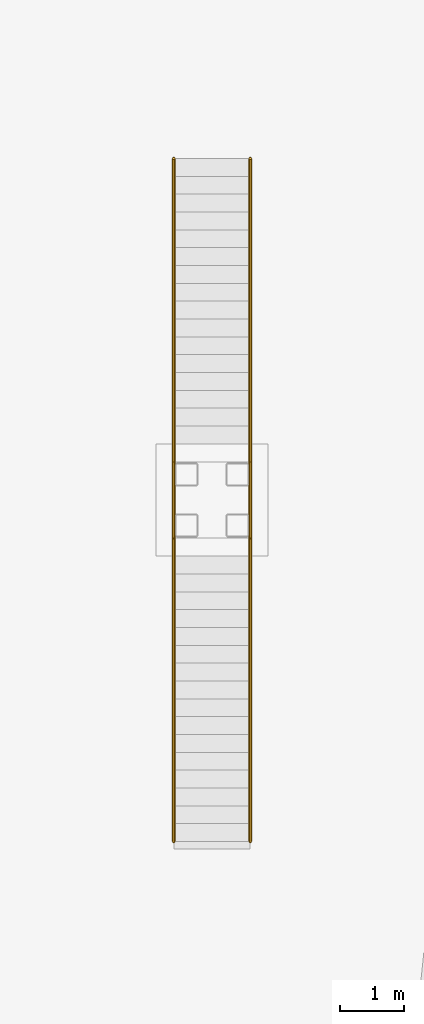
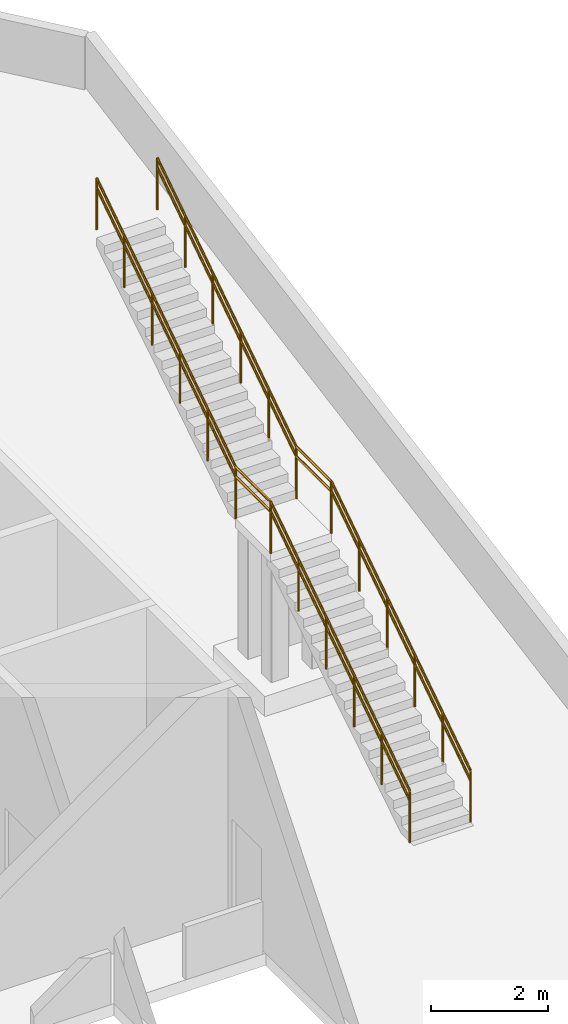
# One storey, part 3 of 3: 4 railings.
"""IFC4 building model written with IfcOpenShell, lengths in metres."""

from ifc_helpers import new_model, si_unit, direction, frame, origin, origin_2d, place, context, subcontext, project, spatial, circle, extrude, material, type_object, element, save


model = new_model("IFC4")

# Units and contexts
model_context = context("Model", 3, precision=1e-05, world=origin(), true_north=direction((0.0, 1.0)))
body_context = subcontext(model_context, "Body", "Model", "MODEL_VIEW")
ifc_project = project(units=[si_unit("LENGTHUNIT", "METRE"), si_unit("AREAUNIT", "SQUARE_METRE"), si_unit("VOLUMEUNIT", "CUBIC_METRE"), si_unit("PLANEANGLEUNIT", "RADIAN"), si_unit("MASSUNIT", "GRAM", prefix="KILO")], contexts=[model_context])

# Site, building, storey
site_placement = place(None, origin())
site = spatial("IfcSite", under=ifc_project, at=site_placement, CompositionType="ELEMENT")
building_placement = place(site_placement, origin())
building = spatial("IfcBuilding", under=site, at=building_placement, Name="Millrace Tower", CompositionType="ELEMENT")
storey_placement = place(building_placement, frame((0.0, 0.0, 362.10009765625)))
storey = spatial("IfcBuildingStorey", under=building, at=storey_placement, Name="ROOF-1", CompositionType="ELEMENT", Elevation=362.10009765625)

# Railings
ifc_material_1 = material(Name="Stainless steel ASTM A240 type 316", Category="steel")
railing_type_1 = type_object("IfcRailingType", Name="Antenna deck guard 1100", PredefinedType="GUARDRAIL", material=ifc_material_1)
placement_1 = place(storey_placement, frame((17.693115234375, -2.037841796875, 0.0)))
element("IfcRailing", 1, at=placement_1, inside=storey, type_object=railing_type_1, Name="Antenna deck stair guard W", PredefinedType="GUARDRAIL", context=body_context, shape_type="SweptSolid", body=[
    extrude(circle(Radius=0.02392578125, at=origin_2d()), frame((0.0, 0.0, 1.076171875), z_axis=(0.0, 0.833940600646, 0.551854214983), x_axis=(-1.0, 0.0, 0.0)), (0.0, 0.0, 1.0), 5.707763671875),
    extrude(circle(Radius=0.02392578125, at=origin_2d()), frame((0.0, 4.760009765625, 4.22607421875), z_axis=(0.0, 1.0, 0.0), x_axis=(-1.0, 0.0, 0.0)), (0.0, 0.0, 1.0), 1.199951171875),
    extrude(circle(Radius=0.02392578125, at=origin_2d()), frame((0.0, 5.9599609375, 4.22607421875), z_axis=(0.0, 0.833940600646, 0.551854214983), x_axis=(-1.0, 0.0, 0.0)), (0.0, 0.0, 1.0), 5.707763671875),
    extrude(circle(Radius=0.02099609375, at=origin_2d()), origin(), (0.0, 0.0, 1.0), 1.052001953125),
    extrude(circle(Radius=0.02099609375, at=origin_2d()), frame((0.0, 0.951904296875, 0.6298828125)), (0.0, 0.0, 1.0), 1.052001953125),
    extrude(circle(Radius=0.02099609375, at=origin_2d()), frame((0.0, 1.904052734375, 1.260009765625)), (0.0, 0.0, 1.0), 1.052001953125),
    extrude(circle(Radius=0.02099609375, at=origin_2d()), frame((0.0, 2.85595703125, 1.889892578125)), (0.0, 0.0, 1.0), 1.052001953125),
    extrude(circle(Radius=0.02099609375, at=origin_2d()), frame((0.0, 3.80810546875, 2.52001953125)), (0.0, 0.0, 1.0), 1.052001953125),
    extrude(circle(Radius=0.02099609375, at=origin_2d()), frame((0.0, 4.760009765625, 3.14990234375)), (0.0, 0.0, 1.0), 1.052001953125),
    extrude(circle(Radius=0.02099609375, at=origin_2d()), frame((0.0, 5.9599609375, 3.14990234375)), (0.0, 0.0, 1.0), 1.052001953125),
    extrude(circle(Radius=0.02099609375, at=origin_2d()), frame((0.0, 6.911865234375, 3.77978515625)), (0.0, 0.0, 1.0), 1.052001953125),
    extrude(circle(Radius=0.02099609375, at=origin_2d()), frame((0.0, 7.864013671875, 4.409912109375)), (0.0, 0.0, 1.0), 1.052001953125),
    extrude(circle(Radius=0.02099609375, at=origin_2d()), frame((0.0, 8.81591796875, 5.039794921875)), (0.0, 0.0, 1.0), 1.052001953125),
    extrude(circle(Radius=0.02099609375, at=origin_2d()), frame((0.0, 9.76806640625, 5.669921875)), (0.0, 0.0, 1.0), 1.052001953125),
    extrude(circle(Radius=0.02099609375, at=origin_2d()), frame((0.0, 10.719970703125, 6.2998046875)), (0.0, 0.0, 1.0), 1.052001953125),
])
placement_2 = place(storey_placement, frame((18.89306640625, -2.037841796875, 0.0)))
element("IfcRailing", 2, at=placement_2, inside=storey, type_object=railing_type_1, Name="Antenna deck stair guard E", PredefinedType="GUARDRAIL", context=body_context, shape_type="SweptSolid", body=[
    extrude(circle(Radius=0.02392578125, at=origin_2d()), frame((0.0, 0.0, 1.076171875), z_axis=(0.0, 0.833940600646, 0.551854214983), x_axis=(-1.0, 0.0, 0.0)), (0.0, 0.0, 1.0), 5.707763671875),
    extrude(circle(Radius=0.02392578125, at=origin_2d()), frame((0.0, 4.760009765625, 4.22607421875), z_axis=(0.0, 1.0, 0.0), x_axis=(-1.0, 0.0, 0.0)), (0.0, 0.0, 1.0), 1.199951171875),
    extrude(circle(Radius=0.02392578125, at=origin_2d()), frame((0.0, 5.9599609375, 4.22607421875), z_axis=(0.0, 0.833940600646, 0.551854214983), x_axis=(-1.0, 0.0, 0.0)), (0.0, 0.0, 1.0), 5.707763671875),
    extrude(circle(Radius=0.02099609375, at=origin_2d()), origin(), (0.0, 0.0, 1.0), 1.052001953125),
    extrude(circle(Radius=0.02099609375, at=origin_2d()), frame((0.0, 0.951904296875, 0.6298828125)), (0.0, 0.0, 1.0), 1.052001953125),
    extrude(circle(Radius=0.02099609375, at=origin_2d()), frame((0.0, 1.904052734375, 1.260009765625)), (0.0, 0.0, 1.0), 1.052001953125),
    extrude(circle(Radius=0.02099609375, at=origin_2d()), frame((0.0, 2.85595703125, 1.889892578125)), (0.0, 0.0, 1.0), 1.052001953125),
    extrude(circle(Radius=0.02099609375, at=origin_2d()), frame((0.0, 3.80810546875, 2.52001953125)), (0.0, 0.0, 1.0), 1.052001953125),
    extrude(circle(Radius=0.02099609375, at=origin_2d()), frame((0.0, 4.760009765625, 3.14990234375)), (0.0, 0.0, 1.0), 1.052001953125),
    extrude(circle(Radius=0.02099609375, at=origin_2d()), frame((0.0, 5.9599609375, 3.14990234375)), (0.0, 0.0, 1.0), 1.052001953125),
    extrude(circle(Radius=0.02099609375, at=origin_2d()), frame((0.0, 6.911865234375, 3.77978515625)), (0.0, 0.0, 1.0), 1.052001953125),
    extrude(circle(Radius=0.02099609375, at=origin_2d()), frame((0.0, 7.864013671875, 4.409912109375)), (0.0, 0.0, 1.0), 1.052001953125),
    extrude(circle(Radius=0.02099609375, at=origin_2d()), frame((0.0, 8.81591796875, 5.039794921875)), (0.0, 0.0, 1.0), 1.052001953125),
    extrude(circle(Radius=0.02099609375, at=origin_2d()), frame((0.0, 9.76806640625, 5.669921875)), (0.0, 0.0, 1.0), 1.052001953125),
    extrude(circle(Radius=0.02099609375, at=origin_2d()), frame((0.0, 10.719970703125, 6.2998046875)), (0.0, 0.0, 1.0), 1.052001953125),
])
ifc_material_2 = material(Name="Stainless steel ASTM A240 type 316", Category="steel")
railing_type_2 = type_object("IfcRailingType", Name="Antenna deck stair handrail 900", PredefinedType="HANDRAIL", material=ifc_material_2)
element("IfcRailing", 3, at=placement_1, inside=storey, type_object=railing_type_2, Name="Antenna deck stair handrail W", PredefinedType="HANDRAIL", context=body_context, shape_type="SweptSolid", body=[
    extrude(circle(Radius=0.02392578125, at=origin_2d()), frame((0.0, 0.0, 0.8759765625), z_axis=(0.0, 0.833940600646, 0.551854214983), x_axis=(-1.0, 0.0, 0.0)), (0.0, 0.0, 1.0), 5.707763671875),
    extrude(circle(Radius=0.02392578125, at=origin_2d()), frame((0.0, 4.760009765625, 4.02587890625), z_axis=(0.0, 1.0, 0.0), x_axis=(-1.0, 0.0, 0.0)), (0.0, 0.0, 1.0), 1.199951171875),
    extrude(circle(Radius=0.02392578125, at=origin_2d()), frame((0.0, 5.9599609375, 4.02587890625), z_axis=(0.0, 0.833940600646, 0.551854214983), x_axis=(-1.0, 0.0, 0.0)), (0.0, 0.0, 1.0), 5.707763671875),
    extrude(circle(Radius=0.02099609375, at=origin_2d()), origin(), (0.0, 0.0, 1.0), 0.851806640625),
    extrude(circle(Radius=0.02099609375, at=origin_2d()), frame((0.0, 0.951904296875, 0.6298828125)), (0.0, 0.0, 1.0), 0.851806640625),
    extrude(circle(Radius=0.02099609375, at=origin_2d()), frame((0.0, 1.904052734375, 1.260009765625)), (0.0, 0.0, 1.0), 0.851806640625),
    extrude(circle(Radius=0.02099609375, at=origin_2d()), frame((0.0, 2.85595703125, 1.889892578125)), (0.0, 0.0, 1.0), 0.851806640625),
    extrude(circle(Radius=0.02099609375, at=origin_2d()), frame((0.0, 3.80810546875, 2.52001953125)), (0.0, 0.0, 1.0), 0.851806640625),
    extrude(circle(Radius=0.02099609375, at=origin_2d()), frame((0.0, 4.760009765625, 3.14990234375)), (0.0, 0.0, 1.0), 0.851806640625),
    extrude(circle(Radius=0.02099609375, at=origin_2d()), frame((0.0, 5.9599609375, 3.14990234375)), (0.0, 0.0, 1.0), 0.851806640625),
    extrude(circle(Radius=0.02099609375, at=origin_2d()), frame((0.0, 6.911865234375, 3.77978515625)), (0.0, 0.0, 1.0), 0.851806640625),
    extrude(circle(Radius=0.02099609375, at=origin_2d()), frame((0.0, 7.864013671875, 4.409912109375)), (0.0, 0.0, 1.0), 0.851806640625),
    extrude(circle(Radius=0.02099609375, at=origin_2d()), frame((0.0, 8.81591796875, 5.039794921875)), (0.0, 0.0, 1.0), 0.851806640625),
    extrude(circle(Radius=0.02099609375, at=origin_2d()), frame((0.0, 9.76806640625, 5.669921875)), (0.0, 0.0, 1.0), 0.851806640625),
    extrude(circle(Radius=0.02099609375, at=origin_2d()), frame((0.0, 10.719970703125, 6.2998046875)), (0.0, 0.0, 1.0), 0.851806640625),
])
element("IfcRailing", 4, at=placement_2, inside=storey, type_object=railing_type_2, Name="Antenna deck stair handrail E", PredefinedType="HANDRAIL", context=body_context, shape_type="SweptSolid", body=[
    extrude(circle(Radius=0.02392578125, at=origin_2d()), frame((0.0, 0.0, 0.8759765625), z_axis=(0.0, 0.833940600646, 0.551854214983), x_axis=(-1.0, 0.0, 0.0)), (0.0, 0.0, 1.0), 5.707763671875),
    extrude(circle(Radius=0.02392578125, at=origin_2d()), frame((0.0, 4.760009765625, 4.02587890625), z_axis=(0.0, 1.0, 0.0), x_axis=(-1.0, 0.0, 0.0)), (0.0, 0.0, 1.0), 1.199951171875),
    extrude(circle(Radius=0.02392578125, at=origin_2d()), frame((0.0, 5.9599609375, 4.02587890625), z_axis=(0.0, 0.833940600646, 0.551854214983), x_axis=(-1.0, 0.0, 0.0)), (0.0, 0.0, 1.0), 5.707763671875),
    extrude(circle(Radius=0.02099609375, at=origin_2d()), origin(), (0.0, 0.0, 1.0), 0.851806640625),
    extrude(circle(Radius=0.02099609375, at=origin_2d()), frame((0.0, 0.951904296875, 0.6298828125)), (0.0, 0.0, 1.0), 0.851806640625),
    extrude(circle(Radius=0.02099609375, at=origin_2d()), frame((0.0, 1.904052734375, 1.260009765625)), (0.0, 0.0, 1.0), 0.851806640625),
    extrude(circle(Radius=0.02099609375, at=origin_2d()), frame((0.0, 2.85595703125, 1.889892578125)), (0.0, 0.0, 1.0), 0.851806640625),
    extrude(circle(Radius=0.02099609375, at=origin_2d()), frame((0.0, 3.80810546875, 2.52001953125)), (0.0, 0.0, 1.0), 0.851806640625),
    extrude(circle(Radius=0.02099609375, at=origin_2d()), frame((0.0, 4.760009765625, 3.14990234375)), (0.0, 0.0, 1.0), 0.851806640625),
    extrude(circle(Radius=0.02099609375, at=origin_2d()), frame((0.0, 5.9599609375, 3.14990234375)), (0.0, 0.0, 1.0), 0.851806640625),
    extrude(circle(Radius=0.02099609375, at=origin_2d()), frame((0.0, 6.911865234375, 3.77978515625)), (0.0, 0.0, 1.0), 0.851806640625),
    extrude(circle(Radius=0.02099609375, at=origin_2d()), frame((0.0, 7.864013671875, 4.409912109375)), (0.0, 0.0, 1.0), 0.851806640625),
    extrude(circle(Radius=0.02099609375, at=origin_2d()), frame((0.0, 8.81591796875, 5.039794921875)), (0.0, 0.0, 1.0), 0.851806640625),
    extrude(circle(Radius=0.02099609375, at=origin_2d()), frame((0.0, 9.76806640625, 5.669921875)), (0.0, 0.0, 1.0), 0.851806640625),
    extrude(circle(Radius=0.02099609375, at=origin_2d()), frame((0.0, 10.719970703125, 6.2998046875)), (0.0, 0.0, 1.0), 0.851806640625),
])

save(model, "model.ifc")
